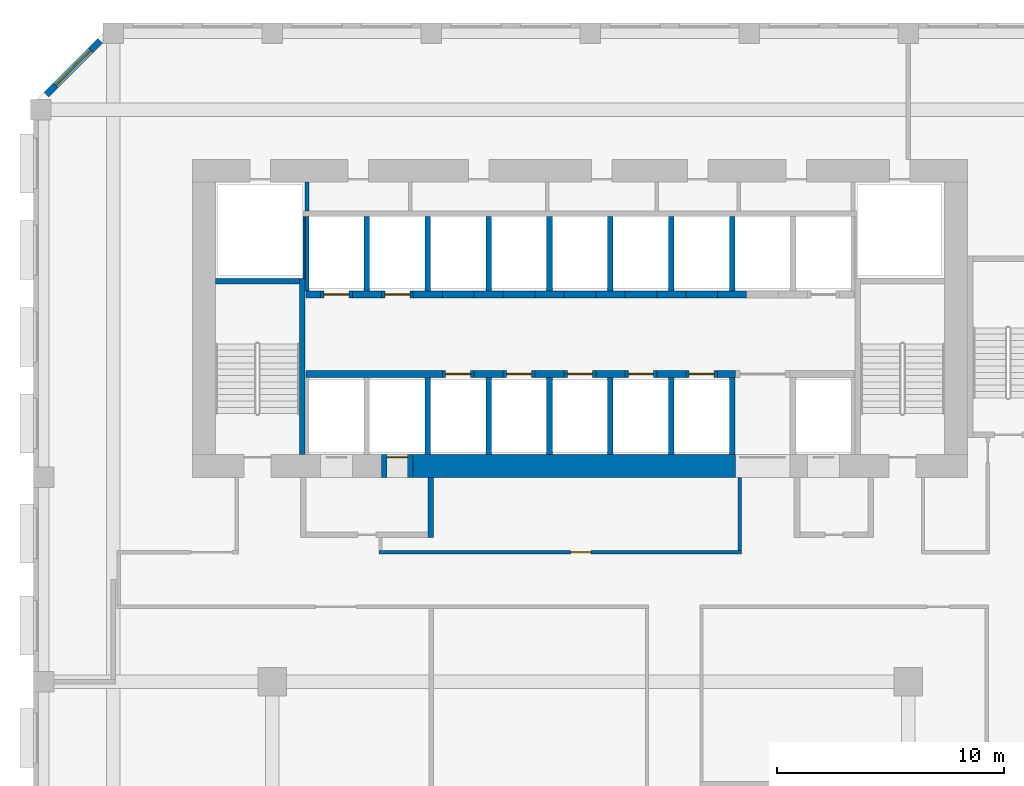
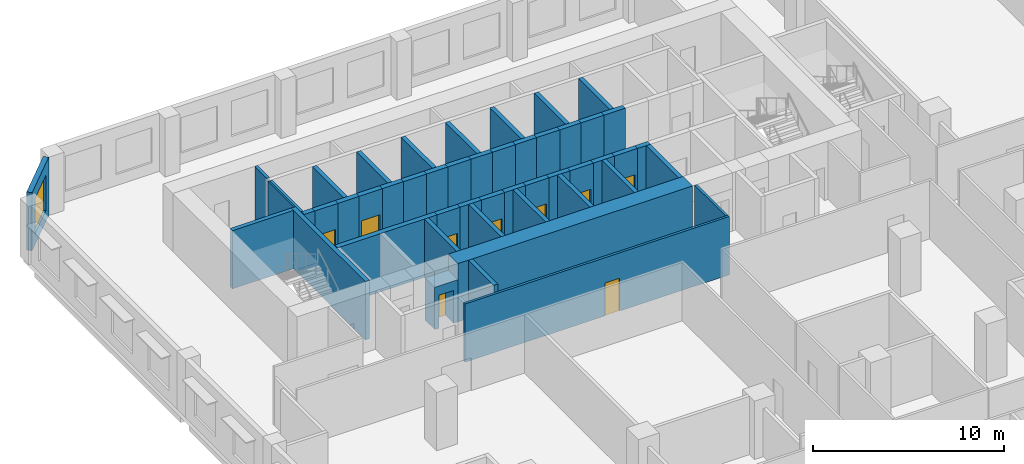
# One storey, part 14 of 26: 50 walls, 9 doors, 1 window, 10 openings.
"""IFC4 building model written with IfcOpenShell, lengths in metres."""

from ifc_helpers import new_model, si_unit, direction, frame, frame_2d, origin, place, context, subcontext, project, spatial, rectangle, extrude, source, transform, mapped, material, layer, layer_set, type_object, element, fill, save


model = new_model("IFC4")

# Units and contexts
model_context = context("Model", 3, precision=1e-05, world=origin(), true_north=direction((0.0, 1.0)))
body_context = subcontext(model_context, "Body", "Model", "MODEL_VIEW")
ifc_project = project(units=[si_unit("LENGTHUNIT", "METRE"), si_unit("AREAUNIT", "SQUARE_METRE"), si_unit("VOLUMEUNIT", "CUBIC_METRE"), si_unit("PLANEANGLEUNIT", "RADIAN"), si_unit("MASSUNIT", "GRAM", prefix="KILO")], contexts=[model_context])

# Site, building, storey
site_placement = place(None, origin())
site = spatial("IfcSite", under=ifc_project, at=site_placement, CompositionType="ELEMENT")
building_placement = place(site_placement, origin())
building = spatial("IfcBuilding", under=site, at=building_placement, Name="Kilnfold Tower and Market Hall", CompositionType="ELEMENT")
storey_placement = place(building_placement, frame((0.0, 0.0, 83.199951171875)))
storey = spatial("IfcBuildingStorey", under=building, at=storey_placement, Name="L19", CompositionType="ELEMENT", Elevation=83.199951171875)

# Wall, opening, door
ifc_material_1 = material(Name="Gypsum board on steel studs", Category="steel")
ifc_layer_1 = layer(ifc_material_1, 0.14990234375)
ifc_layer_set_1 = layer_set([ifc_layer_1], Name="Gypsum board on steel studs")
wall_type_1 = type_object("IfcWallType", Name="WALL CORRIDOR 150", PredefinedType="PARTITIONING", material=ifc_layer_set_1)
wall_1_placement = place(storey_placement, frame((-7.804931640625, 4.699951171875, 0.0), z_axis=(0.0, 0.0, 1.0), x_axis=(1.0, 0.0, 0.0)))
wall_1 = element("IfcWall", 1, at=wall_1_placement, inside=storey, type_object=wall_type_1, Name="Partition LY13.10", PredefinedType="PARTITIONING", context=body_context, shape_type="SweptSolid", body=[
    extrude(rectangle(XDim=15.969970703125, YDim=0.14990234375, at=frame_2d((7.98486328125, 0.0))), origin(), (0.0, 0.0, 1.0), 3.719970703125),
])
opening_1_placement = place(wall_1_placement, frame((8.43896484375, 0.0, 0.0)))
opening_1 = element("IfcOpeningElement", 2, at=opening_1_placement, cuts=wall_1, Name="Opening D2", PredefinedType="OPENING", context=body_context, shape_type="SweptSolid", body=[
    extrude(rectangle(XDim=0.89990234375, YDim=2.10009765625, at=frame_2d((0.449951171875, 1.050048828125))), frame((0.0, 0.0849609375, 0.0), z_axis=(0.0, -1.0, 0.0), x_axis=(1.0, 0.0, 0.0)), (0.0, 0.0, 1.0), 0.169921875),
])
ifc_material_2 = material(Name="Timber veneer door leaf in steel frame", Category="steel")
door_type_1 = type_object("IfcDoorType", Name="DOOR ROOM 900 X2100", OperationType="NOTDEFINED", PredefinedType="DOOR", material=ifc_material_2)
door_1_placement = place(opening_1_placement, origin())
door_1 = element("IfcDoor", 3, at=door_1_placement, inside=storey, type_object=door_type_1, Name="Door D2", OperationType="SINGLE_SWING_LEFT", OverallHeight=2.10009765625, OverallWidth=0.89990234375, PredefinedType="DOOR", context=body_context, shape_type="SweptSolid", body=[
    extrude(rectangle(XDim=0.89990234375, YDim=2.10009765625, at=frame_2d((0.449951171875, 1.050048828125))), frame((0.0, 0.02490234375, 0.0), z_axis=(0.0, -1.0, 0.0), x_axis=(1.0, 0.0, 0.0)), (0.0, 0.0, 1.0), 0.050048828125),
])
fill(opening_1, door_1)

# Walls
wall_2_placement = place(storey_placement, frame((8.090087890625, 8.0, 0.0), z_axis=(0.0, 0.0, 1.0), x_axis=(0.0, -1.0, 0.0)))
element("IfcWall", 4, at=wall_2_placement, inside=storey, type_object=wall_type_1, Name="Partition LY13.11", PredefinedType="PARTITIONING", context=body_context, shape_type="SweptSolid", body=[
    extrude(rectangle(XDim=3.22509765625, YDim=0.14990234375, at=frame_2d((1.612548828125, 0.0))), origin(), (0.0, 0.0, 1.0), 3.719970703125),
])
ifc_material_3 = material(Name="Concrete C80", Category="concrete")
ifc_layer_2 = layer(ifc_material_3, 1.0)
ifc_layer_set_2 = layer_set([ifc_layer_2], Name="Concrete C80")
wall_type_2 = type_object("IfcWallType", Name="CORE WALL 1000 C80", PredefinedType="SHEAR", material=ifc_layer_set_2)
shared_shape_1 = source(origin(), body_context, "Body", "SweptSolid", [
    extrude(rectangle(XDim=14.179931640625, YDim=1.0, at=frame_2d((7.08984375, 0.0))), origin(), (0.0, 0.0, 1.0), 3.719970703125),
])
wall_3_placement = place(storey_placement, frame((-6.2900390625, 8.5, 0.0), z_axis=(0.0, 0.0, 1.0), x_axis=(1.0, 0.0, 0.0)))
element("IfcWall", 5, at=wall_3_placement, inside=storey, type_object=wall_type_2, Name="Core outer wall south", PredefinedType="SHEAR", context=body_context, shape_type="MappedRepresentation", body=[
    mapped(shared_shape_1, transform((0.0, 0.0, 0.0))),
])
ifc_material_4 = material(Name="Concrete C80", Category="concrete")
ifc_layer_3 = layer(ifc_material_4, 0.25)
ifc_layer_set_3 = layer_set([ifc_layer_3], Name="Concrete C80")
wall_type_3 = type_object("IfcWallType", Name="CORE WALL 250 C80", PredefinedType="SHEAR", material=ifc_layer_set_3)
shared_shape_2 = source(origin(), body_context, "Body", "SweptSolid", [
    extrude(rectangle(XDim=7.75, YDim=0.25, at=frame_2d((3.875, 0.0))), origin(), (0.0, 0.0, 1.0), 3.719970703125),
])
wall_4_placement = place(storey_placement, frame((-11.175048828125, 9.0, 0.0), z_axis=(0.0, 0.0, 1.0), x_axis=(0.0, 1.0, 0.0)))
element("IfcWall", 6, at=wall_4_placement, inside=storey, type_object=wall_type_3, Name="Stair enclosure ST1", PredefinedType="SHEAR", context=body_context, shape_type="MappedRepresentation", body=[
    mapped(shared_shape_2, transform((0.0, 0.0, 0.0))),
])
shared_shape_3 = source(origin(), body_context, "Body", "SweptSolid", [
    extrude(rectangle(XDim=3.699951171875, YDim=0.25, at=frame_2d((1.85009765625, 0.0))), origin(), (0.0, 0.0, 1.0), 3.719970703125),
])
wall_5_placement = place(storey_placement, frame((-15.0, 16.625, 0.0), z_axis=(0.0, 0.0, 1.0), x_axis=(1.0, 0.0, 0.0)))
element("IfcWall", 7, at=wall_5_placement, inside=storey, type_object=wall_type_3, Name="Stair enclosure ST1", PredefinedType="SHEAR", context=body_context, shape_type="MappedRepresentation", body=[
    mapped(shared_shape_3, transform((0.0, 0.0, 0.0))),
])
ifc_material_5 = material(Name="Concrete C80", Category="concrete")
ifc_layer_4 = layer(ifc_material_5, 0.300048828125)
ifc_layer_set_4 = layer_set([ifc_layer_4], Name="Concrete C80")
wall_type_4 = type_object("IfcWallType", Name="CORE WALL 300 C80", PredefinedType="SHEAR", material=ifc_layer_set_4)
shared_shape_4 = source(origin(), body_context, "Body", "SweptSolid", [
    extrude(rectangle(XDim=6.0, YDim=0.300048828125, at=frame_2d((3.0, 0.0))), origin(), (0.0, 0.0, 1.0), 3.719970703125),
])
wall_6_placement = place(storey_placement, frame((-11.010009765625, 12.550048828125, 0.0), z_axis=(0.0, 0.0, 1.0), x_axis=(1.0, 0.0, 0.0)))
element("IfcWall", 8, at=wall_6_placement, inside=storey, type_object=wall_type_4, Name="Core spine wall", PredefinedType="SHEAR", context=body_context, shape_type="MappedRepresentation", body=[
    mapped(shared_shape_4, transform((0.0, 0.0, 0.0))),
])
shared_shape_5 = source(origin(), body_context, "Body", "SweptSolid", [
    extrude(rectangle(XDim=1.280029296875, YDim=0.300048828125, at=frame_2d((0.64013671875, 0.0))), origin(), (0.0, 0.0, 1.0), 3.719970703125),
])
for number, where, z_axis, x_axis, name in (
    (9, (-3.610107421875, 12.550048828125, 0.0), (0.0, 0.0, 1.0), (1.0, 0.0, 0.0), "Core spine wall"),
    (10, (-0.929931640625, 12.550048828125, 0.0), (0.0, 0.0, 1.0), (1.0, 0.0, 0.0), "Core spine wall"),
    (11, (1.75, 12.550048828125, 0.0), (0.0, 0.0, 1.0), (1.0, 0.0, 0.0), "Core spine wall"),
    (12, (4.429931640625, 12.550048828125, 0.0), (0.0, 0.0, 1.0), (1.0, 0.0, 0.0), "Core spine wall"),
    (13, (-8.969970703125, 16.050048828125, 0.0), (0.0, 0.0, 1.0), (1.0, 0.0, 0.0), "Core spine wall"),
    (14, (-6.2900390625, 16.050048828125, 0.0), (0.0, 0.0, 1.0), (1.0, 0.0, 0.0), "Core spine wall"),
    (15, (-3.610107421875, 16.050048828125, 0.0), (0.0, 0.0, 1.0), (1.0, 0.0, 0.0), "Core spine wall"),
    (16, (-0.929931640625, 16.050048828125, 0.0), (0.0, 0.0, 1.0), (1.0, 0.0, 0.0), "Core spine wall"),
    (17, (1.75, 16.050048828125, 0.0), (0.0, 0.0, 1.0), (1.0, 0.0, 0.0), "Core spine wall"),
    (18, (4.429931640625, 16.050048828125, 0.0), (0.0, 0.0, 1.0), (1.0, 0.0, 0.0), "Core spine wall"),
):
    element("IfcWall", number, at=place(storey_placement, frame(where, z_axis=z_axis, x_axis=x_axis)), inside=storey, type_object=wall_type_4, Name=name, PredefinedType="SHEAR", context=body_context, shape_type="MappedRepresentation", body=[
        mapped(shared_shape_5, transform((0.0, 0.0, 0.0))),
    ])
shared_shape_6 = source(origin(), body_context, "Body", "SweptSolid", [
    extrude(rectangle(XDim=0.77978515625, YDim=0.300048828125, at=frame_2d((0.389892578125, 0.0))), origin(), (0.0, 0.0, 1.0), 3.719970703125),
])
wall_7_placement = place(storey_placement, frame((7.110107421875, 12.550048828125, 0.0), z_axis=(0.0, 0.0, 1.0), x_axis=(1.0, 0.0, 0.0)))
element("IfcWall", 19, at=wall_7_placement, inside=storey, type_object=wall_type_4, Name="Core spine wall", PredefinedType="SHEAR", context=body_context, shape_type="MappedRepresentation", body=[
    mapped(shared_shape_6, transform((0.0, 0.0, 0.0))),
])
shared_shape_7 = source(origin(), body_context, "Body", "SweptSolid", [
    extrude(rectangle(XDim=0.639892578125, YDim=0.300048828125, at=frame_2d((0.31982421875, 0.0))), origin(), (0.0, 0.0, 1.0), 3.719970703125),
])
wall_8_placement = place(storey_placement, frame((-11.010009765625, 16.050048828125, 0.0), z_axis=(0.0, 0.0, 1.0), x_axis=(1.0, 0.0, 0.0)))
element("IfcWall", 20, at=wall_8_placement, inside=storey, type_object=wall_type_4, Name="Core spine wall", PredefinedType="SHEAR", context=body_context, shape_type="MappedRepresentation", body=[
    mapped(shared_shape_7, transform((0.0, 0.0, 0.0))),
])
shared_shape_8 = source(origin(), body_context, "Body", "SweptSolid", [
    extrude(rectangle(XDim=1.27978515625, YDim=0.300048828125, at=frame_2d((0.639892578125, 0.0))), origin(), (0.0, 0.0, 1.0), 3.719970703125),
])
wall_9_placement = place(storey_placement, frame((7.110107421875, 16.050048828125, 0.0), z_axis=(0.0, 0.0, 1.0), x_axis=(1.0, 0.0, 0.0)))
element("IfcWall", 21, at=wall_9_placement, inside=storey, type_object=wall_type_4, Name="Core spine wall", PredefinedType="SHEAR", context=body_context, shape_type="MappedRepresentation", body=[
    mapped(shared_shape_8, transform((0.0, 0.0, 0.0))),
])

# Wall, opening, window
ifc_material_6 = material(Name="Precast concrete C50/60", Category="concrete")
ifc_layer_5 = layer(ifc_material_6, 0.300048828125)
ifc_layer_set_5 = layer_set([ifc_layer_5], Name="Precast concrete C50/60")
wall_type_5 = type_object("IfcWallType", Name="PRECAST WALL 300", PredefinedType="SOLIDWALL", material=ifc_layer_set_5)
shared_shape_9 = source(origin(), body_context, "Body", "SweptSolid", [
    extrude(rectangle(XDim=3.35888671875, YDim=0.300048828125, at=frame_2d((1.679443359375, 0.0))), origin(), (0.0, 0.0, 1.0), 3.719970703125),
])
wall_10_placement = place(storey_placement, frame((-20.06884765625, 27.218994140625, 0.0), z_axis=(0.0, 0.0, 1.0), x_axis=(-0.707143122278, -0.707070438228, 0.0)))
wall_10 = element("IfcWall", 22, at=wall_10_placement, inside=storey, type_object=wall_type_5, Name="External wall L19 NW", PredefinedType="SOLIDWALL", context=body_context, shape_type="MappedRepresentation", body=[
    mapped(shared_shape_9, transform((0.0, 0.0, 0.0))),
])
opening_2_placement = place(wall_10_placement, frame((0.579345703125, 0.0, 0.699951171875)))
opening_2 = element("IfcOpeningElement", 23, at=opening_2_placement, cuts=wall_10, Name="Opening W1", PredefinedType="OPENING", context=body_context, shape_type="SweptSolid", body=[
    extrude(rectangle(XDim=2.199951171875, YDim=2.25, at=frame_2d((1.10009765625, 1.125))), frame((0.0, 0.16015625, 0.0), z_axis=(0.0, -1.0, 0.0), x_axis=(1.0, 0.0, 0.0)), (0.0, 0.0, 1.0), 0.320068359375),
])
ifc_material_7 = material(Name="Aluminium frame and double glazing", Category="aluminium")
window_type = type_object("IfcWindowType", Name="WINDOW W1 2200X2250", PartitioningType="SINGLE_PANEL", PredefinedType="WINDOW", material=ifc_material_7)
window_placement = place(opening_2_placement, origin())
window = element("IfcWindow", 24, at=window_placement, inside=storey, type_object=window_type, Name="Window W1 L19 NW-1", OverallHeight=2.25, OverallWidth=2.199951171875, PartitioningType="SINGLE_PANEL", PredefinedType="WINDOW", context=body_context, shape_type="SweptSolid", body=[
    extrude(rectangle(XDim=2.199951171875, YDim=2.25, at=frame_2d((1.10009765625, 1.125))), frame((0.0, 0.030029296875, 0.0), z_axis=(0.0, -1.0, 0.0), x_axis=(1.0, 0.0, 0.0)), (0.0, 0.0, 1.0), 0.06005859375),
])
fill(opening_2, window)

# Wall, opening, door
ifc_material_8 = material(Name="Gypsum shaft wall system")
ifc_layer_6 = layer(ifc_material_8, 1.0)
ifc_layer_set_6 = layer_set([ifc_layer_6], Name="Gypsum shaft wall system")
wall_type_6 = type_object("IfcWallType", Name="LOBBY WALL 1000", PredefinedType="PARTITIONING", material=ifc_layer_set_6)
shared_shape_10 = source(origin(), body_context, "Body", "SweptSolid", [
    extrude(rectangle(XDim=1.39990234375, YDim=1.0, at=frame_2d((0.699951171875, 0.0))), origin(), (0.0, 0.0, 1.0), 2.699951171875),
])
wall_11_placement = place(storey_placement, frame((-7.68994140625, 8.5, 0.0), z_axis=(0.0, 0.0, 1.0), x_axis=(1.0, 0.0, 0.0)))
wall_11 = element("IfcWall", 25, at=wall_11_placement, inside=storey, type_object=wall_type_6, Name="Core wall infill", PredefinedType="PARTITIONING", context=body_context, shape_type="MappedRepresentation", body=[
    mapped(shared_shape_10, transform((0.0, 0.0, 0.0))),
])
opening_3_placement = place(wall_11_placement, frame((0.25, 0.0, 0.0)))
opening_3 = element("IfcOpeningElement", 26, at=opening_3_placement, cuts=wall_11, Name="Opening LD1", PredefinedType="OPENING", context=body_context, shape_type="SweptSolid", body=[
    extrude(rectangle(XDim=0.89990234375, YDim=2.10009765625, at=frame_2d((0.449951171875, 1.050048828125))), frame((0.0, 0.510009765625, 0.0), z_axis=(0.0, -1.0, 0.0), x_axis=(1.0, 0.0, 0.0)), (0.0, 0.0, 1.0), 1.02001953125),
])
ifc_material_9 = material(Name="Steel door set with fire-resisting leaf", Category="steel")
door_type_2 = type_object("IfcDoorType", Name="FIREFIGHTING LANDING DOOR 900X2100", OperationType="NOTDEFINED", PredefinedType="DOOR", material=ifc_material_9)
door_2_placement = place(opening_3_placement, origin())
door_2 = element("IfcDoor", 27, at=door_2_placement, inside=storey, type_object=door_type_2, Name="Landing door FF2", OperationType="SLIDING_TO_RIGHT", OverallHeight=2.10009765625, OverallWidth=0.89990234375, PredefinedType="DOOR", context=body_context, shape_type="SweptSolid", body=[
    extrude(rectangle(XDim=0.89990234375, YDim=2.10009765625, at=frame_2d((0.449951171875, 1.050048828125))), frame((0.0, 0.40478515625, 0.0), z_axis=(0.0, -1.0, 0.0), x_axis=(1.0, 0.0, 0.0)), (0.0, 0.0, 1.0), 0.050048828125),
])
fill(opening_3, door_2)

ifc_material_10 = material(Name="Gypsum shaft wall system")
ifc_layer_7 = layer(ifc_material_10, 0.300048828125)
ifc_layer_set_7 = layer_set([ifc_layer_7], Name="Gypsum shaft wall system")
wall_type_7 = type_object("IfcWallType", Name="SHAFT WALL 300", PredefinedType="PARTITIONING", material=ifc_layer_set_7)
shared_shape_11 = source(origin(), body_context, "Body", "SweptSolid", [
    extrude(rectangle(XDim=1.39990234375, YDim=0.300048828125, at=frame_2d((0.699951171875, 0.0))), origin(), (0.0, 0.0, 1.0), 3.719970703125),
])
wall_12_placement = place(storey_placement, frame((-5.010009765625, 12.550048828125, 0.0), z_axis=(0.0, 0.0, 1.0), x_axis=(1.0, 0.0, 0.0)))
wall_12 = element("IfcWall", 28, at=wall_12_placement, inside=storey, type_object=wall_type_7, Name="Lift shaft front wall", PredefinedType="PARTITIONING", context=body_context, shape_type="MappedRepresentation", body=[
    mapped(shared_shape_11, transform((0.0, 0.0, 0.0))),
])
opening_4_placement = place(wall_12_placement, frame((0.14990234375, 0.0, 0.0)))
opening_4 = element("IfcOpeningElement", 29, at=opening_4_placement, cuts=wall_12, Name="Opening LD2", PredefinedType="OPENING", context=body_context, shape_type="SweptSolid", body=[
    extrude(rectangle(XDim=1.10009765625, YDim=2.10009765625, at=frame_2d((0.550048828125, 1.050048828125))), frame((0.0, 0.16015625, 0.0), z_axis=(0.0, -1.0, 0.0), x_axis=(1.0, 0.0, 0.0)), (0.0, 0.0, 1.0), 0.320068359375),
])
ifc_material_11 = material(Name="Steel door set with fire-resisting leaf", Category="steel")
door_type_3 = type_object("IfcDoorType", Name="LANDING DOOR 1100X2100", OperationType="NOTDEFINED", PredefinedType="DOOR", material=ifc_material_11)
door_3_placement = place(opening_4_placement, origin())
door_3 = element("IfcDoor", 30, at=door_3_placement, inside=storey, type_object=door_type_3, Name="Landing door LR1", OperationType="DOUBLE_DOOR_SLIDING", OverallHeight=2.10009765625, OverallWidth=1.10009765625, PredefinedType="DOOR", context=body_context, shape_type="SweptSolid", body=[
    extrude(rectangle(XDim=1.10009765625, YDim=2.10009765625, at=frame_2d((0.550048828125, 1.050048828125))), frame((0.0, 0.02490234375, 0.0), z_axis=(0.0, -1.0, 0.0), x_axis=(1.0, 0.0, 0.0)), (0.0, 0.0, 1.0), 0.050048828125),
])
fill(opening_4, door_3)

wall_13_placement = place(storey_placement, frame((0.35009765625, 12.550048828125, 0.0), z_axis=(0.0, 0.0, 1.0), x_axis=(1.0, 0.0, 0.0)))
wall_13 = element("IfcWall", 31, at=wall_13_placement, inside=storey, type_object=wall_type_7, Name="Lift shaft front wall", PredefinedType="PARTITIONING", context=body_context, shape_type="MappedRepresentation", body=[
    mapped(shared_shape_11, transform((0.0, 0.0, 0.0))),
])
opening_5_placement = place(wall_13_placement, frame((0.14990234375, 0.0, 0.0)))
opening_5 = element("IfcOpeningElement", 32, at=opening_5_placement, cuts=wall_13, Name="Opening LD2", PredefinedType="OPENING", context=body_context, shape_type="SweptSolid", body=[
    extrude(rectangle(XDim=1.10009765625, YDim=2.10009765625, at=frame_2d((0.550048828125, 1.050048828125))), frame((0.0, 0.16015625, 0.0), z_axis=(0.0, -1.0, 0.0), x_axis=(1.0, 0.0, 0.0)), (0.0, 0.0, 1.0), 0.320068359375),
])
door_4_placement = place(opening_5_placement, origin())
door_4 = element("IfcDoor", 33, at=door_4_placement, inside=storey, type_object=door_type_3, Name="Landing door LR3", OperationType="DOUBLE_DOOR_SLIDING", OverallHeight=2.10009765625, OverallWidth=1.10009765625, PredefinedType="DOOR", context=body_context, shape_type="SweptSolid", body=[
    extrude(rectangle(XDim=1.10009765625, YDim=2.10009765625, at=frame_2d((0.550048828125, 1.050048828125))), frame((0.0, 0.02490234375, 0.0), z_axis=(0.0, -1.0, 0.0), x_axis=(1.0, 0.0, 0.0)), (0.0, 0.0, 1.0), 0.050048828125),
])
fill(opening_5, door_4)

wall_14_placement = place(storey_placement, frame((3.030029296875, 12.550048828125, 0.0), z_axis=(0.0, 0.0, 1.0), x_axis=(1.0, 0.0, 0.0)))
wall_14 = element("IfcWall", 34, at=wall_14_placement, inside=storey, type_object=wall_type_7, Name="Lift shaft front wall", PredefinedType="PARTITIONING", context=body_context, shape_type="MappedRepresentation", body=[
    mapped(shared_shape_11, transform((0.0, 0.0, 0.0))),
])
opening_6_placement = place(wall_14_placement, frame((0.14990234375, 0.0, 0.0)))
opening_6 = element("IfcOpeningElement", 35, at=opening_6_placement, cuts=wall_14, Name="Opening LD2", PredefinedType="OPENING", context=body_context, shape_type="SweptSolid", body=[
    extrude(rectangle(XDim=1.10009765625, YDim=2.10009765625, at=frame_2d((0.550048828125, 1.050048828125))), frame((0.0, 0.16015625, 0.0), z_axis=(0.0, -1.0, 0.0), x_axis=(1.0, 0.0, 0.0)), (0.0, 0.0, 1.0), 0.320068359375),
])
door_5_placement = place(opening_6_placement, origin())
door_5 = element("IfcDoor", 36, at=door_5_placement, inside=storey, type_object=door_type_3, Name="Landing door LR4", OperationType="DOUBLE_DOOR_SLIDING", OverallHeight=2.10009765625, OverallWidth=1.10009765625, PredefinedType="DOOR", context=body_context, shape_type="SweptSolid", body=[
    extrude(rectangle(XDim=1.10009765625, YDim=2.10009765625, at=frame_2d((0.550048828125, 1.050048828125))), frame((0.0, 0.02490234375, 0.0), z_axis=(0.0, -1.0, 0.0), x_axis=(1.0, 0.0, 0.0)), (0.0, 0.0, 1.0), 0.050048828125),
])
fill(opening_6, door_5)

wall_15_placement = place(storey_placement, frame((-7.68994140625, 16.050048828125, 0.0), z_axis=(0.0, 0.0, 1.0), x_axis=(1.0, 0.0, 0.0)))
wall_15 = element("IfcWall", 37, at=wall_15_placement, inside=storey, type_object=wall_type_7, Name="Lift shaft front wall", PredefinedType="PARTITIONING", context=body_context, shape_type="MappedRepresentation", body=[
    mapped(shared_shape_11, transform((0.0, 0.0, 0.0))),
])
opening_7_placement = place(wall_15_placement, frame((0.14990234375, 0.0, 0.0)))
opening_7 = element("IfcOpeningElement", 38, at=opening_7_placement, cuts=wall_15, Name="Opening LD2", PredefinedType="OPENING", context=body_context, shape_type="SweptSolid", body=[
    extrude(rectangle(XDim=1.10009765625, YDim=2.10009765625, at=frame_2d((0.550048828125, 1.050048828125))), frame((0.0, 0.16015625, 0.0), z_axis=(0.0, -1.0, 0.0), x_axis=(1.0, 0.0, 0.0)), (0.0, 0.0, 1.0), 0.320068359375),
])
door_6_placement = place(opening_7_placement, origin())
door_6 = element("IfcDoor", 39, at=door_6_placement, inside=storey, type_object=door_type_3, Name="Landing door LR8", OperationType="DOUBLE_DOOR_SLIDING", OverallHeight=2.10009765625, OverallWidth=1.10009765625, PredefinedType="DOOR", context=body_context, shape_type="SweptSolid", body=[
    extrude(rectangle(XDim=1.10009765625, YDim=2.10009765625, at=frame_2d((0.550048828125, 1.050048828125))), frame((0.0, 0.02490234375, 0.0), z_axis=(0.0, -1.0, 0.0), x_axis=(1.0, 0.0, 0.0)), (0.0, 0.0, 1.0), 0.050048828125),
])
fill(opening_7, door_6)

# Walls
for number, where, z_axis, x_axis, name in (
    (40, (-5.010009765625, 16.050048828125, 0.0), (0.0, 0.0, 1.0), (1.0, 0.0, 0.0), "Lift shaft front wall"),
    (41, (0.35009765625, 16.050048828125, 0.0), (0.0, 0.0, 1.0), (1.0, 0.0, 0.0), "Lift shaft front wall"),
    (42, (3.030029296875, 16.050048828125, 0.0), (0.0, 0.0, 1.0), (1.0, 0.0, 0.0), "Lift shaft front wall"),
):
    element("IfcWall", number, at=place(storey_placement, frame(where, z_axis=z_axis, x_axis=x_axis)), inside=storey, type_object=wall_type_7, Name=name, PredefinedType="PARTITIONING", context=body_context, shape_type="MappedRepresentation", body=[
        mapped(shared_shape_11, transform((0.0, 0.0, 0.0))),
    ])

# Wall, opening, door
shared_shape_12 = source(origin(), body_context, "Body", "SweptSolid", [
    extrude(rectangle(XDim=1.400146484375, YDim=0.300048828125, at=frame_2d((0.7001953125, 0.0))), origin(), (0.0, 0.0, 1.0), 3.719970703125),
])
wall_16_placement = place(storey_placement, frame((-2.330078125, 12.550048828125, 0.0), z_axis=(0.0, 0.0, 1.0), x_axis=(1.0, 0.0, 0.0)))
wall_16 = element("IfcWall", 43, at=wall_16_placement, inside=storey, type_object=wall_type_7, Name="Lift shaft front wall", PredefinedType="PARTITIONING", context=body_context, shape_type="MappedRepresentation", body=[
    mapped(shared_shape_12, transform((0.0, 0.0, 0.0))),
])
opening_8_placement = place(wall_16_placement, frame((0.14990234375, 0.0, 0.0)))
opening_8 = element("IfcOpeningElement", 44, at=opening_8_placement, cuts=wall_16, Name="Opening LD2", PredefinedType="OPENING", context=body_context, shape_type="SweptSolid", body=[
    extrude(rectangle(XDim=1.10009765625, YDim=2.10009765625, at=frame_2d((0.550048828125, 1.050048828125))), frame((0.0, 0.16015625, 0.0), z_axis=(0.0, -1.0, 0.0), x_axis=(1.0, 0.0, 0.0)), (0.0, 0.0, 1.0), 0.320068359375),
])
door_7_placement = place(opening_8_placement, origin())
door_7 = element("IfcDoor", 45, at=door_7_placement, inside=storey, type_object=door_type_3, Name="Landing door LR2", OperationType="DOUBLE_DOOR_SLIDING", OverallHeight=2.10009765625, OverallWidth=1.10009765625, PredefinedType="DOOR", context=body_context, shape_type="SweptSolid", body=[
    extrude(rectangle(XDim=1.10009765625, YDim=2.10009765625, at=frame_2d((0.550048828125, 1.050048828125))), frame((0.0, 0.02490234375, 0.0), z_axis=(0.0, -1.0, 0.0), x_axis=(1.0, 0.0, 0.0)), (0.0, 0.0, 1.0), 0.050048828125),
])
fill(opening_8, door_7)

wall_17_placement = place(storey_placement, frame((5.7099609375, 12.550048828125, 0.0), z_axis=(0.0, 0.0, 1.0), x_axis=(1.0, 0.0, 0.0)))
wall_17 = element("IfcWall", 46, at=wall_17_placement, inside=storey, type_object=wall_type_7, Name="Lift shaft front wall", PredefinedType="PARTITIONING", context=body_context, shape_type="MappedRepresentation", body=[
    mapped(shared_shape_12, transform((0.0, 0.0, 0.0))),
])
opening_9_placement = place(wall_17_placement, frame((0.14990234375, 0.0, 0.0)))
opening_9 = element("IfcOpeningElement", 47, at=opening_9_placement, cuts=wall_17, Name="Opening LD2", PredefinedType="OPENING", context=body_context, shape_type="SweptSolid", body=[
    extrude(rectangle(XDim=1.10009765625, YDim=2.10009765625, at=frame_2d((0.550048828125, 1.050048828125))), frame((0.0, 0.16015625, 0.0), z_axis=(0.0, -1.0, 0.0), x_axis=(1.0, 0.0, 0.0)), (0.0, 0.0, 1.0), 0.320068359375),
])
door_8_placement = place(opening_9_placement, origin())
door_8 = element("IfcDoor", 48, at=door_8_placement, inside=storey, type_object=door_type_3, Name="Landing door LR5", OperationType="DOUBLE_DOOR_SLIDING", OverallHeight=2.10009765625, OverallWidth=1.10009765625, PredefinedType="DOOR", context=body_context, shape_type="SweptSolid", body=[
    extrude(rectangle(XDim=1.10009765625, YDim=2.10009765625, at=frame_2d((0.550048828125, 1.050048828125))), frame((0.0, 0.02490234375, 0.0), z_axis=(0.0, -1.0, 0.0), x_axis=(1.0, 0.0, 0.0)), (0.0, 0.0, 1.0), 0.050048828125),
])
fill(opening_9, door_8)

wall_18_placement = place(storey_placement, frame((-10.3701171875, 16.050048828125, 0.0), z_axis=(0.0, 0.0, 1.0), x_axis=(1.0, 0.0, 0.0)))
wall_18 = element("IfcWall", 49, at=wall_18_placement, inside=storey, type_object=wall_type_7, Name="Lift shaft front wall", PredefinedType="PARTITIONING", context=body_context, shape_type="MappedRepresentation", body=[
    mapped(shared_shape_12, transform((0.0, 0.0, 0.0))),
])
opening_10_placement = place(wall_18_placement, frame((0.14990234375, 0.0, 0.0)))
opening_10 = element("IfcOpeningElement", 50, at=opening_10_placement, cuts=wall_18, Name="Opening LD2", PredefinedType="OPENING", context=body_context, shape_type="SweptSolid", body=[
    extrude(rectangle(XDim=1.10009765625, YDim=2.10009765625, at=frame_2d((0.550048828125, 1.050048828125))), frame((0.0, 0.16015625, 0.0), z_axis=(0.0, -1.0, 0.0), x_axis=(1.0, 0.0, 0.0)), (0.0, 0.0, 1.0), 0.320068359375),
])
door_9_placement = place(opening_10_placement, origin())
door_9 = element("IfcDoor", 51, at=door_9_placement, inside=storey, type_object=door_type_3, Name="Landing door LR7", OperationType="DOUBLE_DOOR_SLIDING", OverallHeight=2.10009765625, OverallWidth=1.10009765625, PredefinedType="DOOR", context=body_context, shape_type="SweptSolid", body=[
    extrude(rectangle(XDim=1.10009765625, YDim=2.10009765625, at=frame_2d((0.550048828125, 1.050048828125))), frame((0.0, 0.02490234375, 0.0), z_axis=(0.0, -1.0, 0.0), x_axis=(1.0, 0.0, 0.0)), (0.0, 0.0, 1.0), 0.050048828125),
])
fill(opening_10, door_9)

# Walls
for number, where, z_axis, x_axis, name in (
    (52, (-2.330078125, 16.050048828125, 0.0), (0.0, 0.0, 1.0), (1.0, 0.0, 0.0), "Lift shaft front wall"),
    (53, (5.7099609375, 16.050048828125, 0.0), (0.0, 0.0, 1.0), (1.0, 0.0, 0.0), "Lift shaft front wall"),
):
    element("IfcWall", number, at=place(storey_placement, frame(where, z_axis=z_axis, x_axis=x_axis)), inside=storey, type_object=wall_type_7, Name=name, PredefinedType="PARTITIONING", context=body_context, shape_type="MappedRepresentation", body=[
        mapped(shared_shape_12, transform((0.0, 0.0, 0.0))),
    ])
ifc_material_12 = material(Name="Gypsum shaft wall system")
ifc_layer_8 = layer(ifc_material_12, 0.25)
ifc_layer_set_8 = layer_set([ifc_layer_8], Name="Gypsum shaft wall system")
wall_type_8 = type_object("IfcWallType", Name="LOBBY WALL 250", PredefinedType="PARTITIONING", material=ifc_layer_set_8)
shared_shape_13 = source(origin(), body_context, "Body", "SweptSolid", [
    extrude(rectangle(XDim=2.64990234375, YDim=0.25, at=frame_2d((1.324951171875, 0.0))), origin(), (0.0, 0.0, 1.0), 3.719970703125),
])
wall_19_placement = place(storey_placement, frame((-5.52490234375, 5.35009765625, 0.0), z_axis=(0.0, 0.0, 1.0), x_axis=(0.0, 1.0, 0.0)))
element("IfcWall", 54, at=wall_19_placement, inside=storey, type_object=wall_type_8, Name="Firefighting lobby wall", PredefinedType="PARTITIONING", context=body_context, shape_type="MappedRepresentation", body=[
    mapped(shared_shape_13, transform((0.0, 0.0, 0.0))),
])
ifc_material_13 = material(Name="Gypsum shaft wall system")
ifc_layer_9 = layer(ifc_material_13, 0.1650390625)
ifc_layer_set_9 = layer_set([ifc_layer_9], Name="Gypsum shaft wall system")
wall_type_9 = type_object("IfcWallType", Name="SHAFT WALL 165", PredefinedType="PARTITIONING", material=ifc_layer_set_9)
shared_shape_14 = source(origin(), body_context, "Body", "SweptSolid", [
    extrude(rectangle(XDim=3.275146484375, YDim=0.1650390625, at=frame_2d((1.6376953125, 0.0))), origin(), (0.0, 0.0, 1.0), 3.719970703125),
])
wall_20_placement = place(storey_placement, frame((-10.967529296875, 16.199951171875, 0.0), z_axis=(0.0, 0.0, 1.0), x_axis=(0.0, 1.0, 0.0)))
element("IfcWall", 55, at=wall_20_placement, inside=storey, type_object=wall_type_9, Name="Lift shaft wall", PredefinedType="PARTITIONING", context=body_context, shape_type="MappedRepresentation", body=[
    mapped(shared_shape_14, transform((0.0, 0.0, 0.0))),
])
shared_shape_15 = source(origin(), body_context, "Body", "SweptSolid", [
    extrude(rectangle(XDim=1.27490234375, YDim=0.1650390625, at=frame_2d((0.637451171875, 0.0))), origin(), (0.0, 0.0, 1.0), 3.719970703125),
])
wall_21_placement = place(storey_placement, frame((-10.967529296875, 19.72509765625, 0.0), z_axis=(0.0, 0.0, 1.0), x_axis=(0.0, 1.0, 0.0)))
element("IfcWall", 56, at=wall_21_placement, inside=storey, type_object=wall_type_9, Name="Lift shaft wall", PredefinedType="PARTITIONING", context=body_context, shape_type="MappedRepresentation", body=[
    mapped(shared_shape_15, transform((0.0, 0.0, 0.0))),
])
ifc_material_14 = material(Name="Gypsum shaft wall system")
ifc_layer_10 = layer(ifc_material_14, 0.25)
ifc_layer_set_10 = layer_set([ifc_layer_10], Name="Gypsum shaft wall system")
wall_type_10 = type_object("IfcWallType", Name="SHAFT WALL 250", PredefinedType="PARTITIONING", material=ifc_layer_set_10)
shared_shape_16 = source(origin(), body_context, "Body", "SweptSolid", [
    extrude(rectangle(XDim=3.275146484375, YDim=0.25, at=frame_2d((1.6376953125, 0.0))), origin(), (0.0, 0.0, 1.0), 3.719970703125),
])
for number, where, z_axis, x_axis, name in (
    (57, (2.389892578125, 16.199951171875, 0.0), (0.0, 0.0, 1.0), (0.0, 1.0, 0.0), "Lift shaft wall"),
    (58, (5.070068359375, 16.199951171875, 0.0), (0.0, 0.0, 1.0), (0.0, 1.0, 0.0), "Lift shaft wall"),
    (59, (7.75, 16.199951171875, 0.0), (0.0, 0.0, 1.0), (0.0, 1.0, 0.0), "Lift shaft wall"),
    (60, (-0.2900390625, 16.199951171875, 0.0), (0.0, 0.0, 1.0), (0.0, 1.0, 0.0), "Lift shaft wall"),
    (61, (-2.969970703125, 16.199951171875, 0.0), (0.0, 0.0, 1.0), (0.0, 1.0, 0.0), "Lift shaft wall"),
    (62, (-5.64990234375, 16.199951171875, 0.0), (0.0, 0.0, 1.0), (0.0, 1.0, 0.0), "Lift shaft wall"),
    (63, (-8.330078125, 16.199951171875, 0.0), (0.0, 0.0, 1.0), (0.0, 1.0, 0.0), "Lift shaft wall"),
):
    element("IfcWall", number, at=place(storey_placement, frame(where, z_axis=z_axis, x_axis=x_axis)), inside=storey, type_object=wall_type_10, Name=name, PredefinedType="PARTITIONING", context=body_context, shape_type="MappedRepresentation", body=[
        mapped(shared_shape_16, transform((0.0, 0.0, 0.0))),
    ])
ifc_material_15 = material(Name="Gypsum shaft wall system")
ifc_layer_11 = layer(ifc_material_15, 0.0849609375)
ifc_layer_set_11 = layer_set([ifc_layer_11], Name="Gypsum shaft wall system")
wall_type_11 = type_object("IfcWallType", Name="SHAFT WALL 85", PredefinedType="PARTITIONING", material=ifc_layer_set_11)
shared_shape_17 = source(origin(), body_context, "Body", "SweptSolid", [
    extrude(rectangle(XDim=2.72509765625, YDim=0.0849609375, at=frame_2d((1.362548828125, 0.0))), origin(), (0.0, 0.0, 1.0), 3.719970703125),
])
wall_22_placement = place(storey_placement, frame((-11.092529296875, 16.75, 0.0), z_axis=(0.0, 0.0, 1.0), x_axis=(0.0, 1.0, 0.0)))
element("IfcWall", 64, at=wall_22_placement, inside=storey, type_object=wall_type_11, Name="Lift shaft wall", PredefinedType="PARTITIONING", context=body_context, shape_type="MappedRepresentation", body=[
    mapped(shared_shape_17, transform((0.0, 0.0, 0.0))),
])
shared_shape_18 = source(origin(), body_context, "Body", "SweptSolid", [
    extrude(rectangle(XDim=3.39990234375, YDim=0.25, at=frame_2d((1.699951171875, 0.0))), origin(), (0.0, 0.0, 1.0), 3.719970703125),
])
for number, where, z_axis, x_axis, name in (
    (65, (2.389892578125, 9.0, 0.0), (0.0, 0.0, 1.0), (0.0, 1.0, 0.0), "Lift shaft wall"),
    (66, (5.070068359375, 9.0, 0.0), (0.0, 0.0, 1.0), (0.0, 1.0, 0.0), "Lift shaft wall"),
    (67, (7.75, 9.0, 0.0), (0.0, 0.0, 1.0), (0.0, 1.0, 0.0), "Lift shaft wall"),
    (68, (-0.2900390625, 9.0, 0.0), (0.0, 0.0, 1.0), (0.0, 1.0, 0.0), "Lift shaft wall"),
    (69, (-2.969970703125, 9.0, 0.0), (0.0, 0.0, 1.0), (0.0, 1.0, 0.0), "Lift shaft wall"),
    (70, (-5.64990234375, 9.0, 0.0), (0.0, 0.0, 1.0), (0.0, 1.0, 0.0), "Lift shaft wall"),
):
    element("IfcWall", number, at=place(storey_placement, frame(where, z_axis=z_axis, x_axis=x_axis)), inside=storey, type_object=wall_type_10, Name=name, PredefinedType="PARTITIONING", context=body_context, shape_type="MappedRepresentation", body=[
        mapped(shared_shape_18, transform((0.0, 0.0, 0.0))),
    ])

save(model, "model.ifc")
